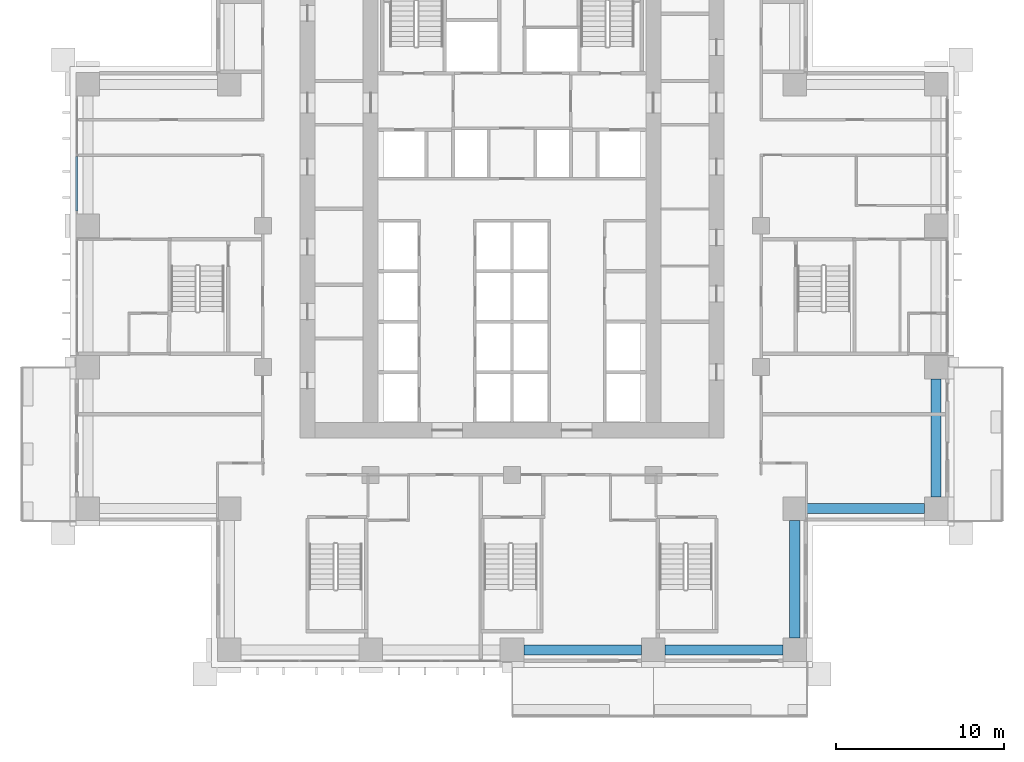
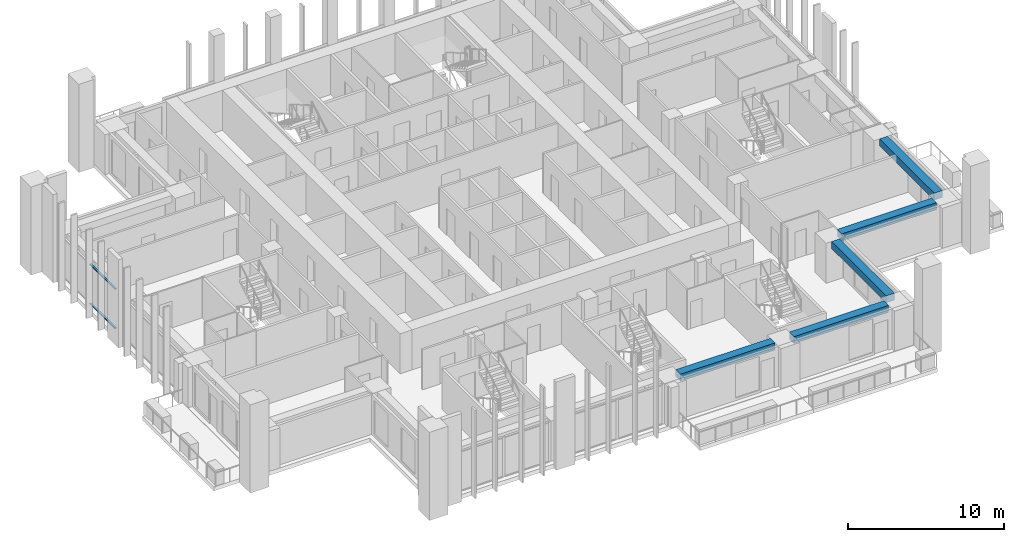
# One storey, part 3 of 19: 5 beams, 2 members, 1 element without a shape of its own.
"""IFC4 building model written with IfcOpenShell, lengths in metres."""

from ifc_helpers import new_model, si_unit, direction, frame, origin, origin_2d, place, context, subcontext, project, spatial, rectangle, extrude, material, material_profile, profile_set, type_object, element, aggregate, save


model = new_model("IFC4")

# Units and contexts
model_context = context("Model", 3, precision=1e-05, world=origin(), true_north=direction((0.0, 1.0)))
body_context = subcontext(model_context, "Body", "Model", "MODEL_VIEW")
ifc_project = project(units=[si_unit("LENGTHUNIT", "METRE"), si_unit("AREAUNIT", "SQUARE_METRE"), si_unit("VOLUMEUNIT", "CUBIC_METRE"), si_unit("PLANEANGLEUNIT", "RADIAN"), si_unit("MASSUNIT", "GRAM", prefix="KILO")], contexts=[model_context])

# Site, building, storey
site_placement = place(None, origin())
site = spatial("IfcSite", under=ifc_project, at=site_placement, CompositionType="ELEMENT")
building_placement = place(site_placement, origin())
building = spatial("IfcBuilding", under=site, at=building_placement, Name="Vermilion Ogive Tower", CompositionType="ELEMENT")
storey_placement = place(building_placement, frame((0.0, 0.0, 62.10009765625)))
storey = spatial("IfcBuildingStorey", under=building, at=storey_placement, Name="L14", CompositionType="ELEMENT", Elevation=62.10009765625)

# Curtain wall, members
ifc_material_1 = material(Name="Low-iron laminated glazing in aluminium frame", Category="aluminium")
curtain_wall_type = type_object("IfcCurtainWallType", Name="Curtain wall CW7", PredefinedType="NOTDEFINED", material=ifc_material_1)
curtain_wall_placement = place(storey_placement, origin())
curtain_wall = element("IfcCurtainWall", 1, at=curtain_wall_placement, inside=storey, type_object=curtain_wall_type, Name="Glazed skin W1", PredefinedType="NOTDEFINED")
ifc_material_2 = material(Name="Aluminium transom", Category="aluminium")
ifc_material_profile_1 = material_profile(ifc_material_2, rectangle(XDim=0.139892578125, YDim=0.06005859375, at=origin_2d()), Name="AL 60x140")
ifc_profile_set_1 = profile_set([ifc_material_profile_1], Name="Aluminium transom")
member_type = type_object("IfcMemberType", Name="CW7 transom 60x140", PredefinedType="USERDEFINED", material=ifc_profile_set_1)
member_1_placement = place(storey_placement, frame((-25.85009765625, 8.31005859375, 0.02978515625), z_axis=(0.0, -1.0, 0.0), x_axis=(1.0, 0.0, 0.0)))
member_1 = element("IfcMember", 2, at=member_1_placement, type_object=member_type, Name="CW7-W1 transom 2.1", ObjectType="TRANSOM", PredefinedType="USERDEFINED", context=body_context, shape_type="SweptSolid", body=[
    extrude(rectangle(XDim=0.139892578125, YDim=0.06005859375, at=origin_2d()), origin(), (0.0, 0.0, 1.0), 3.22998046875),
])
member_2_placement = place(storey_placement, frame((-25.85009765625, 8.31005859375, 3.099853515625), z_axis=(0.0, -1.0, 0.0), x_axis=(1.0, 0.0, 0.0)))
member_2 = element("IfcMember", 3, at=member_2_placement, type_object=member_type, Name="CW7-W1 transom 2.2", ObjectType="TRANSOM", PredefinedType="USERDEFINED", context=body_context, shape_type="SweptSolid", body=[
    extrude(rectangle(XDim=0.139892578125, YDim=0.06005859375, at=origin_2d()), origin(), (0.0, 0.0, 1.0), 3.22998046875),
])
aggregate(curtain_wall, [member_1, member_2])

# Beams
ifc_material_3 = material(Name="Concrete B45", Category="concrete")
ifc_material_profile_2 = material_profile(ifc_material_3, rectangle(XDim=0.60009765625, YDim=0.550048828125, at=origin_2d()), Name="600 x 550")
ifc_profile_set_2 = profile_set([ifc_material_profile_2], Name="Concrete B45")
beam_type = type_object("IfcBeamType", Name="Edge beam 600 x 550 B45", PredefinedType="BEAM", material=ifc_profile_set_2)
for number, where, z_axis, x_axis, name in (
    (4, (0.699951171875, -21.0, 2.85498046875), (1.0, 0.0, 0.0), (0.0, 1.0, 0.0), "L14-EB-3"),
    (5, (9.10009765625, -21.0, 2.85498046875), (1.0, 0.0, 0.0), (0.0, 1.0, 0.0), "L14-EB-4"),
    (6, (16.800048828125, -20.300048828125, 2.85498046875), (0.0, 1.0, 0.0), (-1.0, 0.0, 0.0), "L14-EB-5"),
    (7, (17.5, -12.60009765625, 2.85498046875), (1.0, 0.0, 0.0), (0.0, 1.0, 0.0), "L14-EB-6"),
    (8, (25.199951171875, -11.89990234375, 2.85498046875), (0.0, 1.0, 0.0), (-1.0, 0.0, 0.0), "L14-EB-7"),
):
    element("IfcBeam", number, at=place(storey_placement, frame(where, z_axis=z_axis, x_axis=x_axis)), inside=storey, type_object=beam_type, Name=name, PredefinedType="BEAM", context=body_context, shape_type="SweptSolid", body=[
        extrude(rectangle(XDim=0.60009765625, YDim=0.550048828125, at=origin_2d()), origin(), (0.0, 0.0, 1.0), 7.0),
    ])

save(model, "model.ifc")
